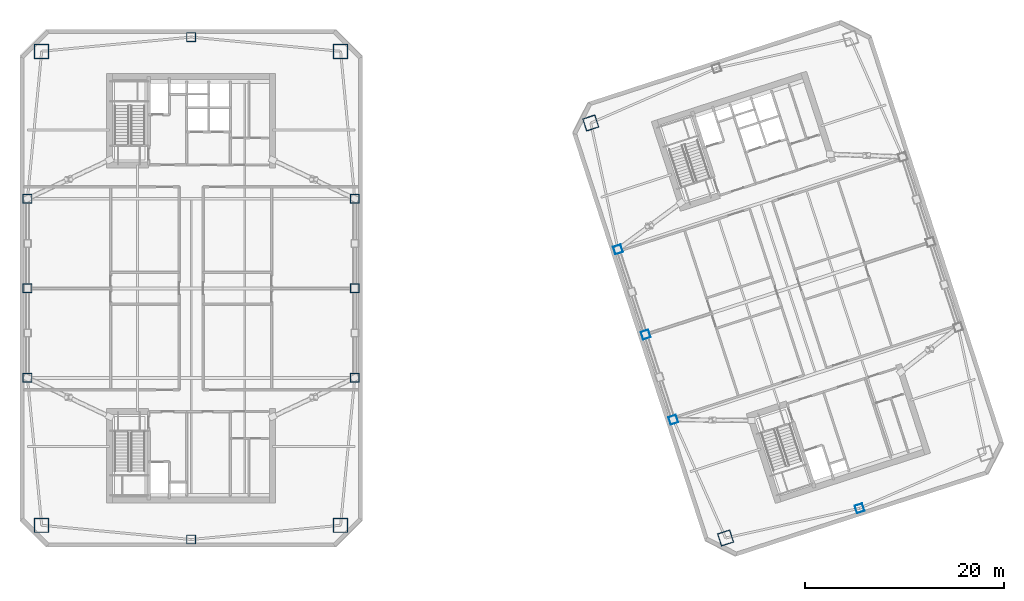
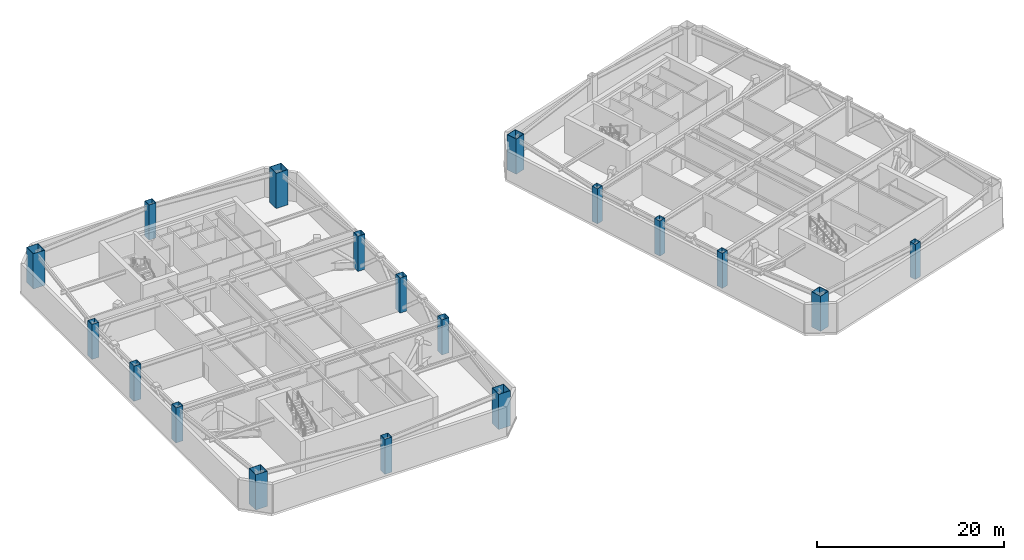
# One storey, part 1 of 17: 18 columns.
"""IFC4 building model written with IfcOpenShell, lengths in metres."""

from ifc_helpers import new_model, si_unit, direction, frame, origin, origin_2d, place, context, subcontext, project, spatial, hollow_rectangle, extrude, material, material_profile, profile_set, type_object, element, save


model = new_model("IFC4")

# Units and contexts
model_context = context("Model", 3, precision=1e-05, world=origin(), true_north=direction((0.0, 1.0)))
body_context = subcontext(model_context, "Body", "Model", "MODEL_VIEW")
ifc_project = project(units=[si_unit("LENGTHUNIT", "METRE"), si_unit("AREAUNIT", "SQUARE_METRE"), si_unit("VOLUMEUNIT", "CUBIC_METRE"), si_unit("PLANEANGLEUNIT", "RADIAN"), si_unit("MASSUNIT", "GRAM", prefix="KILO")], contexts=[model_context])

# Site, building, storey
site_placement = place(None, origin())
site = spatial("IfcSite", under=ifc_project, at=site_placement, CompositionType="ELEMENT")
building_placement = place(site_placement, origin())
building = spatial("IfcBuilding", under=site, at=building_placement, Name="Qiaolan Cultural Towers", CompositionType="ELEMENT")
storey_placement = place(building_placement, frame((0.0, 0.0, 184.0)))
storey = spatial("IfcBuildingStorey", under=building, at=storey_placement, Name="L49", CompositionType="ELEMENT", Elevation=184.0)

# Columns
ifc_material_1 = material(Name="Steel Q390GJB", Category="steel")
ifc_material_profile_1 = material_profile(ifc_material_1, hollow_rectangle(XDim=1.300048828125, YDim=1.300048828125, WallThickness=0.044921875, at=origin_2d()), Name="BOX1300x1300x45")
ifc_profile_set_1 = profile_set([ifc_material_profile_1], Name="Steel Q390GJB")
column_type_1 = type_object("IfcColumnType", Name="COL-BOX1300x1300x45", PredefinedType="COLUMN", material=ifc_profile_set_1)
for number, where, z_axis, x_axis, name in (
    (1, (83.71875, 8.900634765625, 0.0), (0.0, 0.0, 1.0), (0.951056516295, 0.309016994375, 0.0), "L49 T2 Perimeter Column MC-SW"),
    (2, (70.165283203125, 50.61376953125, 0.0), (0.0, 0.0, 1.0), (0.951056516295, 0.309016994375, 0.0), "L49 T2 Perimeter Column MC-NW"),
):
    element("IfcColumn", number, at=place(storey_placement, frame(where, z_axis=z_axis, x_axis=x_axis)), inside=storey, type_object=column_type_1, Name=name, PredefinedType="COLUMN", context=body_context, shape_type="SweptSolid", body=[
        extrude(hollow_rectangle(XDim=1.300048828125, YDim=1.300048828125, WallThickness=0.044921875, at=origin_2d()), origin(), (0.0, 0.0, 1.0), 4.60107421875),
    ])
ifc_material_2 = material(Name="Steel Q420GJB", Category="steel")
ifc_material_profile_2 = material_profile(ifc_material_2, hollow_rectangle(XDim=1.449951171875, YDim=1.449951171875, WallThickness=0.050048828125, at=origin_2d()), Name="BOX1450x1450x50")
ifc_profile_set_2 = profile_set([ifc_material_profile_2], Name="Steel Q420GJB")
column_type_2 = type_object("IfcColumnType", Name="COL-BOX1450x1450x50", PredefinedType="COLUMN", material=ifc_profile_set_2)
for number, where, z_axis, x_axis, name in (
    (3, (14.97998046875, 10.179931640625, 0.0), (0.0, 0.0, 1.0), (1.0, 0.0, 0.0), "L49 T1 Perimeter Column MC-SW"),
    (4, (45.02001953125, 10.179931640625, 0.0), (0.0, 0.0, 1.0), (1.0, 0.0, 0.0), "L49 T1 Perimeter Column MC-SE"),
    (5, (45.02001953125, 57.820068359375, 0.0), (0.0, 0.0, 1.0), (1.0, 0.0, 0.0), "L49 T1 Perimeter Column MC-NE"),
    (6, (14.97998046875, 57.820068359375, 0.0), (0.0, 0.0, 1.0), (1.0, 0.0, 0.0), "L49 T1 Perimeter Column MC-NW"),
):
    element("IfcColumn", number, at=place(storey_placement, frame(where, z_axis=z_axis, x_axis=x_axis)), inside=storey, type_object=column_type_2, Name=name, PredefinedType="COLUMN", context=body_context, shape_type="SweptSolid", body=[
        extrude(hollow_rectangle(XDim=1.449951171875, YDim=1.449951171875, WallThickness=0.050048828125, at=origin_2d()), origin(), (0.0, 0.0, 1.0), 4.60107421875),
    ])
ifc_material_3 = material(Name="Steel Q355B", Category="steel")
ifc_material_profile_3 = material_profile(ifc_material_3, hollow_rectangle(XDim=0.800048828125, YDim=0.800048828125, WallThickness=0.028076171875, at=origin_2d()), Name="BOX800x800x28")
ifc_profile_set_3 = profile_set([ifc_material_profile_3], Name="Steel Q355B")
column_type_3 = type_object("IfcColumnType", Name="COL-BOX800x800x28", PredefinedType="COLUMN", material=ifc_profile_set_3)
for number, where, z_axis, x_axis, name in (
    (7, (78.4677734375, 20.789794921875, 0.0), (0.0, 0.0, 1.0), (0.951056516295, 0.309016994375, 0.0), "L49 T2 Perimeter Column PC-W1"),
    (8, (75.6865234375, 29.349365234375, 0.0), (0.0, 0.0, 1.0), (0.951056516295, 0.309016994375, 0.0), "L49 T2 Perimeter Column PC-W2"),
    (9, (72.905517578125, 37.90869140625, 0.0), (0.0, 0.0, 1.0), (0.951056516295, 0.309016994375, 0.0), "L49 T2 Perimeter Column PC-W3"),
    (10, (97.1845703125, 11.887939453125, 0.0), (0.0, 0.0, 1.0), (0.951056516295, 0.309016994375, 0.0), "L49 T2 Perimeter Column PC-S0"),
):
    element("IfcColumn", number, at=place(storey_placement, frame(where, z_axis=z_axis, x_axis=x_axis)), inside=storey, type_object=column_type_3, Name=name, PredefinedType="COLUMN", context=body_context, shape_type="SweptSolid", body=[
        extrude(hollow_rectangle(XDim=0.800048828125, YDim=0.800048828125, WallThickness=0.028076171875, at=origin_2d()), origin(), (0.0, 0.0, 1.0), 4.60107421875),
    ])
ifc_material_4 = material(Name="Steel Q355B", Category="steel")
ifc_material_profile_4 = material_profile(ifc_material_4, hollow_rectangle(XDim=0.89990234375, YDim=0.89990234375, WallThickness=0.031982421875, at=origin_2d()), Name="BOX900x900x32")
ifc_profile_set_4 = profile_set([ifc_material_profile_4], Name="Steel Q355B")
column_type_4 = type_object("IfcColumnType", Name="COL-BOX900x900x32", PredefinedType="COLUMN", material=ifc_profile_set_4)
for number, where, z_axis, x_axis, name in (
    (11, (13.550048828125, 25.0, 0.0), (0.0, 0.0, 1.0), (1.0, 0.0, 0.0), "L49 T1 Perimeter Column PC-W1"),
    (12, (13.550048828125, 34.0, 0.0), (0.0, 0.0, 1.0), (1.0, 0.0, 0.0), "L49 T1 Perimeter Column PC-W2"),
    (13, (13.550048828125, 43.0, 0.0), (0.0, 0.0, 1.0), (1.0, 0.0, 0.0), "L49 T1 Perimeter Column PC-W3"),
    (14, (46.449951171875, 25.0, 0.0), (0.0, 0.0, 1.0), (1.0, 0.0, 0.0), "L49 T1 Perimeter Column PC-E1"),
    (15, (46.449951171875, 34.0, 0.0), (0.0, 0.0, 1.0), (1.0, 0.0, 0.0), "L49 T1 Perimeter Column PC-E2"),
    (16, (46.449951171875, 43.0, 0.0), (0.0, 0.0, 1.0), (1.0, 0.0, 0.0), "L49 T1 Perimeter Column PC-E3"),
    (17, (30.0, 8.75, 0.0), (0.0, 0.0, 1.0), (1.0, 0.0, 0.0), "L49 T1 Perimeter Column PC-S0"),
    (18, (30.0, 59.25, 0.0), (0.0, 0.0, 1.0), (1.0, 0.0, 0.0), "L49 T1 Perimeter Column PC-N0"),
):
    element("IfcColumn", number, at=place(storey_placement, frame(where, z_axis=z_axis, x_axis=x_axis)), inside=storey, type_object=column_type_4, Name=name, PredefinedType="COLUMN", context=body_context, shape_type="SweptSolid", body=[
        extrude(hollow_rectangle(XDim=0.89990234375, YDim=0.89990234375, WallThickness=0.031982421875, at=origin_2d()), origin(), (0.0, 0.0, 1.0), 4.60107421875),
    ])

save(model, "model.ifc")
